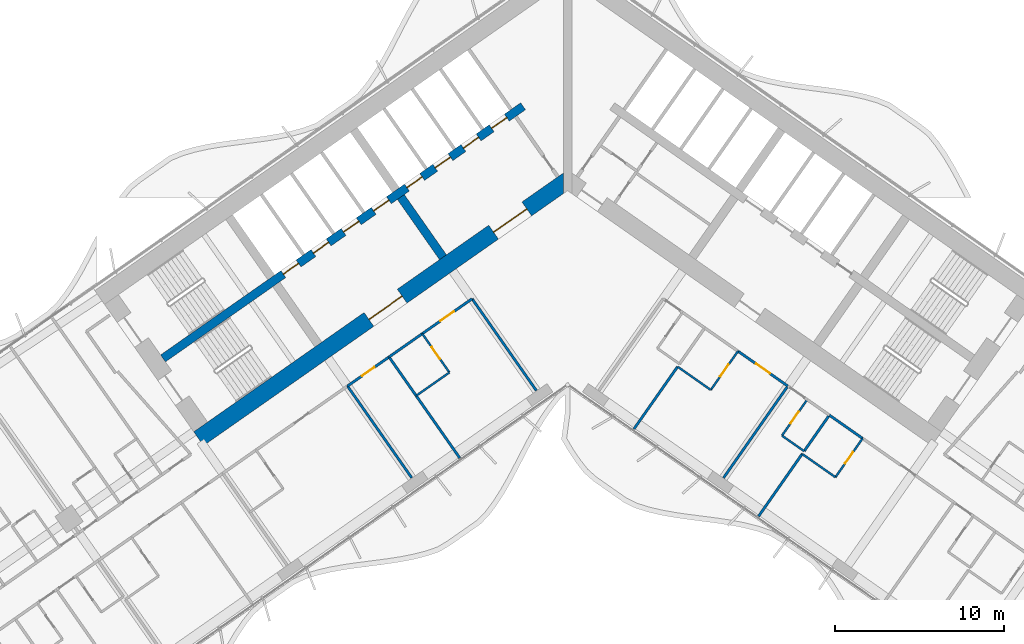
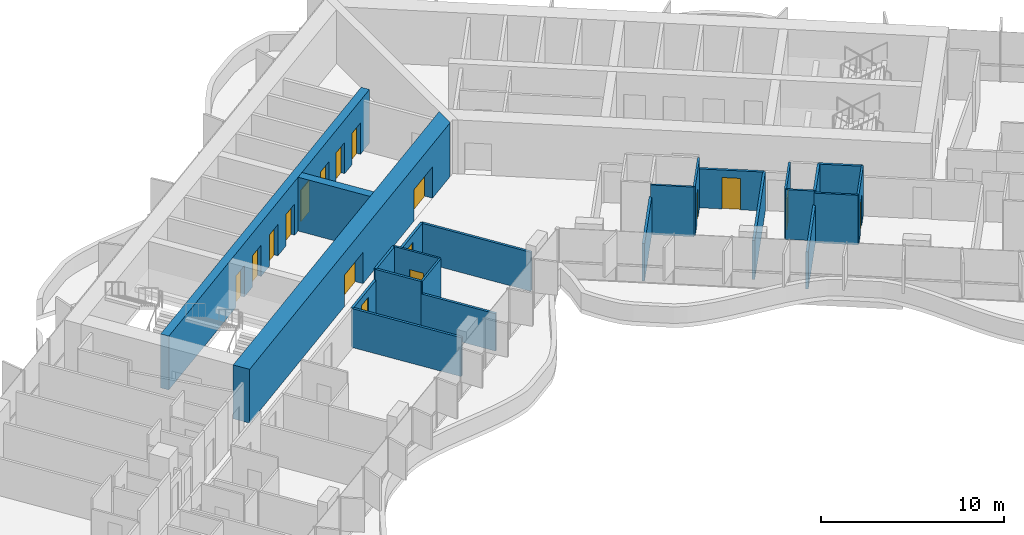
# One storey, part 14 of 24: 24 walls, 17 doors, 17 openings.
"""IFC4 building model written with IfcOpenShell, lengths in metres."""

from ifc_helpers import new_model, si_unit, direction, frame, frame_2d, origin, place, context, subcontext, project, spatial, polyline, rectangle, outline, extrude, material, layer, layer_set, type_object, element, fill, save


model = new_model("IFC4")

# Units and contexts
model_context = context("Model", 3, precision=1e-05, world=origin(), true_north=direction((0.0, 1.0)))
body_context = subcontext(model_context, "Body", "Model", "MODEL_VIEW")
ifc_project = project(units=[si_unit("LENGTHUNIT", "METRE"), si_unit("AREAUNIT", "SQUARE_METRE"), si_unit("VOLUMEUNIT", "CUBIC_METRE"), si_unit("PLANEANGLEUNIT", "RADIAN"), si_unit("MASSUNIT", "GRAM", prefix="KILO")], contexts=[model_context])

# Site, building, storey
site_placement = place(None, origin())
site = spatial("IfcSite", under=ifc_project, at=site_placement, CompositionType="ELEMENT")
building_placement = place(site_placement, origin())
building = spatial("IfcBuilding", under=site, at=building_placement, Name="Tel Ilan Convention Tower", CompositionType="ELEMENT")
storey_placement = place(building_placement, frame((0.0, 0.0, 90.5)))
storey = spatial("IfcBuildingStorey", under=building, at=storey_placement, Name="L18", CompositionType="ELEMENT", Elevation=90.5)

# Wall, openings, doors
ifc_material_1 = material(Name="Concrete C60/75", Category="concrete")
ifc_layer_1 = layer(ifc_material_1, 1.0)
ifc_layer_set_1 = layer_set([ifc_layer_1], Name="Core Shear Wall 1000 mm C60/75")
wall_type_1 = type_object("IfcWallType", Name="Core Shear Wall 1000 mm C60/75", PredefinedType="SHEAR", material=ifc_layer_set_1)
wall_1_placement = place(storey_placement, frame((0.036865234375, -0.584716796875, 0.0), z_axis=(0.0, 0.0, 1.0), x_axis=(-0.819157152511, -0.573569140985, 0.0)))
wall_1 = element("IfcWall", 1, at=wall_1_placement, inside=storey, type_object=wall_type_1, Name="L18 core wall W-front", PredefinedType="SHEAR", context=body_context, shape_type="SweptSolid", body=[
    extrude(outline(polyline([(26.69482421875, 0.500244140625), (0.7001953125, 0.499755859375), (0.0, -0.5), (26.69482421875, -0.499755859375), (26.69482421875, 0.500244140625)])), origin(), (0.0, 0.0, 1.0), 3.60009765625),
])
opening_1_placement = place(wall_1_placement, frame((2.994873046875, 0.0, 0.0)))
opening_1 = element("IfcOpeningElement", 2, at=opening_1_placement, cuts=wall_1, Name="Opening CD1605", PredefinedType="OPENING", context=body_context, shape_type="SweptSolid", body=[
    extrude(rectangle(XDim=2.39990234375, YDim=2.10009765625, at=frame_2d((1.199951171875, 1.050048828125))), frame((0.0, 0.510009765625, 0.0), z_axis=(0.0, -1.0, 0.0), x_axis=(1.0, 0.0, 0.0)), (0.0, 0.0, 1.0), 1.02001953125),
])
opening_2_placement = place(wall_1_placement, frame((11.994873046875, 0.0, 0.0)))
opening_2 = element("IfcOpeningElement", 3, at=opening_2_placement, cuts=wall_1, Name="Opening CD1606", PredefinedType="OPENING", context=body_context, shape_type="SweptSolid", body=[
    extrude(rectangle(XDim=2.39990234375, YDim=2.10009765625, at=frame_2d((1.199951171875, 1.050048828125))), frame((0.0, 0.510009765625, 0.0), z_axis=(0.0, -1.0, 0.0), x_axis=(1.0, 0.0, 0.0)), (0.0, 0.0, 1.0), 1.02001953125),
])
ifc_material_2 = material(Name="Glazed Aluminium Door Leaf", Category="aluminium")
door_type_1 = type_object("IfcDoorType", Name="Lobby Opening Door 2400 x 2100 FD60S", OperationType="NOTDEFINED", PredefinedType="DOOR", material=ifc_material_2)
door_1_placement = place(opening_1_placement, origin())
door_1 = element("IfcDoor", 4, at=door_1_placement, inside=storey, type_object=door_type_1, Name="Lift Lobby LR1-LR4 opening", OperationType="DOUBLE_DOOR_SINGLE_SWING", OverallHeight=2.10009765625, OverallWidth=2.39990234375, PredefinedType="DOOR", context=body_context, shape_type="SweptSolid", body=[
    extrude(rectangle(XDim=2.39990234375, YDim=2.10009765625, at=frame_2d((1.199951171875, 1.050048828125))), frame((0.0, 0.02490234375, 0.0), z_axis=(0.0, -1.0, 0.0), x_axis=(1.0, 0.0, 0.0)), (0.0, 0.0, 1.0), 0.050048828125),
])
fill(opening_1, door_1)
door_2_placement = place(opening_2_placement, origin())
door_2 = element("IfcDoor", 5, at=door_2_placement, inside=storey, type_object=door_type_1, Name="Lift Lobby LR5-LR8 opening", OperationType="DOUBLE_DOOR_SINGLE_SWING", OverallHeight=2.10009765625, OverallWidth=2.39990234375, PredefinedType="DOOR", context=body_context, shape_type="SweptSolid", body=[
    extrude(rectangle(XDim=2.39990234375, YDim=2.10009765625, at=frame_2d((1.199951171875, 1.050048828125))), frame((0.0, 0.02490234375, 0.0), z_axis=(0.0, -1.0, 0.0), x_axis=(1.0, 0.0, 0.0)), (0.0, 0.0, 1.0), 0.050048828125),
])
fill(opening_2, door_2)

# Wall
ifc_material_3 = material(Name="Concrete C60/75", Category="concrete")
ifc_layer_2 = layer(ifc_material_3, 0.5)
ifc_layer_set_2 = layer_set([ifc_layer_2], Name="Core Shear Wall 500 mm C60/75")
wall_type_2 = type_object("IfcWallType", Name="Core Shear Wall 500 mm C60/75", PredefinedType="SHEAR", material=ifc_layer_set_2)
wall_2_placement = place(storey_placement, frame((-7.372314453125, -5.162109375, 0.0), z_axis=(0.0, 0.0, 1.0), x_axis=(-0.573594173421, 0.819139624372, 0.0)))
element("IfcWall", 6, at=wall_2_placement, inside=storey, type_object=wall_type_2, Name="L18 core wall W-cross1-1", PredefinedType="SHEAR", context=body_context, shape_type="SweptSolid", body=[
    extrude(outline(polyline([(4.349853515625, 0.25), (0.0, 0.250244140625), (0.0, -0.25), (4.349853515625, -0.25), (4.349853515625, 0.25)])), origin(), (0.0, 0.0, 1.0), 3.60009765625),
])

# Wall, openings, doors
wall_3_placement = place(storey_placement, frame((-2.638427734375, 3.76806640625, 0.0), z_axis=(0.0, 0.0, 1.0), x_axis=(-0.819148977158, -0.573580816643, 0.0)))
wall_3 = element("IfcWall", 7, at=wall_3_placement, inside=storey, type_object=wall_type_2, Name="L18 core wall W-spine", PredefinedType="SHEAR", context=body_context, shape_type="SweptSolid", body=[
    extrude(outline(polyline([(26.0, 0.249755859375), (0.0, 0.25), (0.0, -0.25), (26.0, -0.250244140625), (26.0, 0.249755859375)])), origin(), (0.0, 0.0, 1.0), 3.60009765625),
])
opening_3_placement = place(wall_3_placement, frame((1.168701171875, 0.0, 0.0)))
opening_3 = element("IfcOpeningElement", 8, at=opening_3_placement, cuts=wall_3, Name="Opening LD1604", PredefinedType="OPENING", context=body_context, shape_type="SweptSolid", body=[
    extrude(rectangle(XDim=1.10009765625, YDim=2.10009765625, at=frame_2d((0.550048828125, 1.050048828125))), frame((0.0, 0.260009765625, 0.0), z_axis=(0.0, -1.0, 0.0), x_axis=(1.0, 0.0, 0.0)), (0.0, 0.0, 1.0), 0.52001953125),
])
opening_4_placement = place(wall_3_placement, frame((3.206298828125, 0.0, 0.0)))
opening_4 = element("IfcOpeningElement", 9, at=opening_4_placement, cuts=wall_3, Name="Opening LD1605", PredefinedType="OPENING", context=body_context, shape_type="SweptSolid", body=[
    extrude(rectangle(XDim=1.10009765625, YDim=2.10009765625, at=frame_2d((0.550048828125, 1.050048828125))), frame((0.0, 0.260009765625, 0.0), z_axis=(0.0, -1.0, 0.0), x_axis=(1.0, 0.0, 0.0)), (0.0, 0.0, 1.0), 0.52001953125),
])
opening_5_placement = place(wall_3_placement, frame((5.24365234375, 0.0, 0.0)))
opening_5 = element("IfcOpeningElement", 10, at=opening_5_placement, cuts=wall_3, Name="Opening LD1606", PredefinedType="OPENING", context=body_context, shape_type="SweptSolid", body=[
    extrude(rectangle(XDim=1.10009765625, YDim=2.10009765625, at=frame_2d((0.550048828125, 1.050048828125))), frame((0.0, 0.260009765625, 0.0), z_axis=(0.0, -1.0, 0.0), x_axis=(1.0, 0.0, 0.0)), (0.0, 0.0, 1.0), 0.52001953125),
])
opening_6_placement = place(wall_3_placement, frame((7.28125, 0.0, 0.0)))
opening_6 = element("IfcOpeningElement", 11, at=opening_6_placement, cuts=wall_3, Name="Opening LD1607", PredefinedType="OPENING", context=body_context, shape_type="SweptSolid", body=[
    extrude(rectangle(XDim=1.10009765625, YDim=2.10009765625, at=frame_2d((0.550048828125, 1.050048828125))), frame((0.0, 0.260009765625, 0.0), z_axis=(0.0, -1.0, 0.0), x_axis=(1.0, 0.0, 0.0)), (0.0, 0.0, 1.0), 0.52001953125),
])
opening_7_placement = place(wall_3_placement, frame((9.6875, 0.0, 0.0)))
opening_7 = element("IfcOpeningElement", 12, at=opening_7_placement, cuts=wall_3, Name="Opening LD1608", PredefinedType="OPENING", context=body_context, shape_type="SweptSolid", body=[
    extrude(rectangle(XDim=1.10009765625, YDim=2.10009765625, at=frame_2d((0.550048828125, 1.050048828125))), frame((0.0, 0.260009765625, 0.0), z_axis=(0.0, -1.0, 0.0), x_axis=(1.0, 0.0, 0.0)), (0.0, 0.0, 1.0), 0.52001953125),
])
opening_8_placement = place(wall_3_placement, frame((11.862548828125, 0.0, 0.0)))
opening_8 = element("IfcOpeningElement", 13, at=opening_8_placement, cuts=wall_3, Name="Opening LD1609", PredefinedType="OPENING", context=body_context, shape_type="SweptSolid", body=[
    extrude(rectangle(XDim=1.10009765625, YDim=2.10009765625, at=frame_2d((0.550048828125, 1.050048828125))), frame((0.0, 0.260009765625, 0.0), z_axis=(0.0, -1.0, 0.0), x_axis=(1.0, 0.0, 0.0)), (0.0, 0.0, 1.0), 0.52001953125),
])
opening_9_placement = place(wall_3_placement, frame((14.03759765625, 0.0, 0.0)))
opening_9 = element("IfcOpeningElement", 14, at=opening_9_placement, cuts=wall_3, Name="Opening LD1610", PredefinedType="OPENING", context=body_context, shape_type="SweptSolid", body=[
    extrude(rectangle(XDim=1.10009765625, YDim=2.10009765625, at=frame_2d((0.550048828125, 1.050048828125))), frame((0.0, 0.260009765625, 0.0), z_axis=(0.0, -1.0, 0.0), x_axis=(1.0, 0.0, 0.0)), (0.0, 0.0, 1.0), 0.52001953125),
])
opening_10_placement = place(wall_3_placement, frame((16.21240234375, 0.0, 0.0)))
opening_10 = element("IfcOpeningElement", 15, at=opening_10_placement, cuts=wall_3, Name="Opening LD1611", PredefinedType="OPENING", context=body_context, shape_type="SweptSolid", body=[
    extrude(rectangle(XDim=1.10009765625, YDim=2.10009765625, at=frame_2d((0.550048828125, 1.050048828125))), frame((0.0, 0.260009765625, 0.0), z_axis=(0.0, -1.0, 0.0), x_axis=(1.0, 0.0, 0.0)), (0.0, 0.0, 1.0), 0.52001953125),
])
ifc_material_4 = material(Name="Stainless Steel Sliding Door Leaf", Category="steel")
door_type_2 = type_object("IfcDoorType", Name="Lift Landing Door 1100 x 2100 FD120", OperationType="NOTDEFINED", PredefinedType="DOOR", material=ifc_material_4)
door_3_placement = place(opening_3_placement, origin())
door_3 = element("IfcDoor", 16, at=door_3_placement, inside=storey, type_object=door_type_2, Name="Lift LR1 landing door", OperationType="SLIDING_TO_LEFT", OverallHeight=2.10009765625, OverallWidth=1.10009765625, PredefinedType="DOOR", context=body_context, shape_type="SweptSolid", body=[
    extrude(rectangle(XDim=1.10009765625, YDim=2.10009765625, at=frame_2d((0.550048828125, 1.050048828125))), frame((0.0, 0.02490234375, 0.0), z_axis=(0.0, -1.0, 0.0), x_axis=(1.0, 0.0, 0.0)), (0.0, 0.0, 1.0), 0.050048828125),
])
fill(opening_3, door_3)
door_4_placement = place(opening_4_placement, origin())
door_4 = element("IfcDoor", 17, at=door_4_placement, inside=storey, type_object=door_type_2, Name="Lift LR2 landing door", OperationType="SLIDING_TO_RIGHT", OverallHeight=2.10009765625, OverallWidth=1.10009765625, PredefinedType="DOOR", context=body_context, shape_type="SweptSolid", body=[
    extrude(rectangle(XDim=1.10009765625, YDim=2.10009765625, at=frame_2d((0.550048828125, 1.050048828125))), frame((0.0, 0.02490234375, 0.0), z_axis=(0.0, -1.0, 0.0), x_axis=(1.0, 0.0, 0.0)), (0.0, 0.0, 1.0), 0.050048828125),
])
fill(opening_4, door_4)
door_5_placement = place(opening_5_placement, origin())
door_5 = element("IfcDoor", 18, at=door_5_placement, inside=storey, type_object=door_type_2, Name="Lift LR3 landing door", OperationType="SLIDING_TO_LEFT", OverallHeight=2.10009765625, OverallWidth=1.10009765625, PredefinedType="DOOR", context=body_context, shape_type="SweptSolid", body=[
    extrude(rectangle(XDim=1.10009765625, YDim=2.10009765625, at=frame_2d((0.550048828125, 1.050048828125))), frame((0.0, 0.02490234375, 0.0), z_axis=(0.0, -1.0, 0.0), x_axis=(1.0, 0.0, 0.0)), (0.0, 0.0, 1.0), 0.050048828125),
])
fill(opening_5, door_5)
door_6_placement = place(opening_6_placement, origin())
door_6 = element("IfcDoor", 19, at=door_6_placement, inside=storey, type_object=door_type_2, Name="Lift LR4 landing door", OperationType="SLIDING_TO_RIGHT", OverallHeight=2.10009765625, OverallWidth=1.10009765625, PredefinedType="DOOR", context=body_context, shape_type="SweptSolid", body=[
    extrude(rectangle(XDim=1.10009765625, YDim=2.10009765625, at=frame_2d((0.550048828125, 1.050048828125))), frame((0.0, 0.02490234375, 0.0), z_axis=(0.0, -1.0, 0.0), x_axis=(1.0, 0.0, 0.0)), (0.0, 0.0, 1.0), 0.050048828125),
])
fill(opening_6, door_6)
door_7_placement = place(opening_7_placement, origin())
door_7 = element("IfcDoor", 20, at=door_7_placement, inside=storey, type_object=door_type_2, Name="Lift LR5 landing door", OperationType="SLIDING_TO_LEFT", OverallHeight=2.10009765625, OverallWidth=1.10009765625, PredefinedType="DOOR", context=body_context, shape_type="SweptSolid", body=[
    extrude(rectangle(XDim=1.10009765625, YDim=2.10009765625, at=frame_2d((0.550048828125, 1.050048828125))), frame((0.0, 0.02490234375, 0.0), z_axis=(0.0, -1.0, 0.0), x_axis=(1.0, 0.0, 0.0)), (0.0, 0.0, 1.0), 0.050048828125),
])
fill(opening_7, door_7)
door_8_placement = place(opening_8_placement, origin())
door_8 = element("IfcDoor", 21, at=door_8_placement, inside=storey, type_object=door_type_2, Name="Lift LR6 landing door", OperationType="SLIDING_TO_RIGHT", OverallHeight=2.10009765625, OverallWidth=1.10009765625, PredefinedType="DOOR", context=body_context, shape_type="SweptSolid", body=[
    extrude(rectangle(XDim=1.10009765625, YDim=2.10009765625, at=frame_2d((0.550048828125, 1.050048828125))), frame((0.0, 0.02490234375, 0.0), z_axis=(0.0, -1.0, 0.0), x_axis=(1.0, 0.0, 0.0)), (0.0, 0.0, 1.0), 0.050048828125),
])
fill(opening_8, door_8)
door_9_placement = place(opening_9_placement, origin())
door_9 = element("IfcDoor", 22, at=door_9_placement, inside=storey, type_object=door_type_2, Name="Lift LR7 landing door", OperationType="SLIDING_TO_LEFT", OverallHeight=2.10009765625, OverallWidth=1.10009765625, PredefinedType="DOOR", context=body_context, shape_type="SweptSolid", body=[
    extrude(rectangle(XDim=1.10009765625, YDim=2.10009765625, at=frame_2d((0.550048828125, 1.050048828125))), frame((0.0, 0.02490234375, 0.0), z_axis=(0.0, -1.0, 0.0), x_axis=(1.0, 0.0, 0.0)), (0.0, 0.0, 1.0), 0.050048828125),
])
fill(opening_9, door_9)
door_10_placement = place(opening_10_placement, origin())
door_10 = element("IfcDoor", 23, at=door_10_placement, inside=storey, type_object=door_type_2, Name="Lift LR8 landing door", OperationType="SLIDING_TO_RIGHT", OverallHeight=2.10009765625, OverallWidth=1.10009765625, PredefinedType="DOOR", context=body_context, shape_type="SweptSolid", body=[
    extrude(rectangle(XDim=1.10009765625, YDim=2.10009765625, at=frame_2d((0.550048828125, 1.050048828125))), frame((0.0, 0.02490234375, 0.0), z_axis=(0.0, -1.0, 0.0), x_axis=(1.0, 0.0, 0.0)), (0.0, 0.0, 1.0), 0.050048828125),
])
fill(opening_10, door_10)

# Wall, opening, door
ifc_material_5 = material(Name="Plasterboard on Steel Studs", Category="steel")
ifc_layer_3 = layer(ifc_material_5, 0.14990234375)
ifc_layer_set_3 = layer_set([ifc_layer_3], Name="Fire-rated Partition 150 EI 60")
wall_type_3 = type_object("IfcWallType", Name="Fire-rated Partition 150 EI 60", PredefinedType="PARTITIONING", material=ifc_layer_set_3)
wall_4_placement = place(storey_placement, frame((13.025634765625, -12.782958984375, 0.0), z_axis=(0.0, 0.0, 1.0), x_axis=(-0.819145961204, 0.573585123798, 0.0)))
wall_4 = element("IfcWall", 24, at=wall_4_placement, inside=storey, type_object=wall_type_3, Name="Partition 008", PredefinedType="PARTITIONING", context=body_context, shape_type="SweptSolid", body=[
    extrude(rectangle(XDim=3.60302734375, YDim=0.14990234375, at=frame_2d((1.801513671875, 0.0))), origin(), (0.0, 0.0, 1.0), 2.60009765625),
])
opening_11_placement = place(wall_4_placement, frame((1.302001953125, 0.0, 0.0)))
opening_11 = element("IfcOpeningElement", 25, at=opening_11_placement, cuts=wall_4, Name="Opening L18-028", PredefinedType="OPENING", context=body_context, shape_type="SweptSolid", body=[
    extrude(rectangle(XDim=1.0, YDim=2.10009765625, at=frame_2d((0.5, 1.050048828125))), frame((0.0, 0.0849609375, 0.0), z_axis=(0.0, -1.0, 0.0), x_axis=(1.0, 0.0, 0.0)), (0.0, 0.0, 1.0), 0.169921875),
])
ifc_material_6 = material(Name="Timber Door Leaf in Steel Frame", Category="steel")
door_type_3 = type_object("IfcDoorType", Name="Hotel Room Entrance Fire Door 1000x2100", OperationType="NOTDEFINED", PredefinedType="DOOR", material=ifc_material_6)
door_11_placement = place(opening_11_placement, origin())
door_11 = element("IfcDoor", 26, at=door_11_placement, inside=storey, type_object=door_type_3, Name="Door L18-028", OperationType="SINGLE_SWING_RIGHT", OverallHeight=2.10009765625, OverallWidth=1.0, PredefinedType="DOOR", context=body_context, shape_type="SweptSolid", body=[
    extrude(rectangle(XDim=1.0, YDim=2.10009765625, at=frame_2d((0.5, 1.050048828125))), frame((0.0, 0.02490234375, 0.0), z_axis=(0.0, -1.0, 0.0), x_axis=(1.0, 0.0, 0.0)), (0.0, 0.0, 1.0), 0.050048828125),
])
fill(opening_11, door_11)

# Wall
wall_5_placement = place(storey_placement, frame((17.44921875, -15.88037109375, 0.0), z_axis=(0.0, 0.0, 1.0), x_axis=(-0.819179439794, 0.573537309527, 0.0)))
element("IfcWall", 27, at=wall_5_placement, inside=storey, type_object=wall_type_3, Name="Partition 013", PredefinedType="PARTITIONING", context=body_context, shape_type="SweptSolid", body=[
    extrude(rectangle(XDim=2.404296875, YDim=0.14990234375, at=frame_2d((1.2021484375, 0.0))), origin(), (0.0, 0.0, 1.0), 3.320068359375),
])

# Wall, opening, door
wall_6_placement = place(storey_placement, frame((-5.651611328125, -7.61962890625, 0.0), z_axis=(0.0, 0.0, 1.0), x_axis=(-0.819149096931, -0.573580645591, 0.0)))
wall_6 = element("IfcWall", 28, at=wall_6_placement, inside=storey, type_object=wall_type_3, Name="Partition 029", PredefinedType="PARTITIONING", context=body_context, shape_type="SweptSolid", body=[
    extrude(rectangle(XDim=3.600830078125, YDim=0.14990234375, at=frame_2d((1.80029296875, 0.0))), origin(), (0.0, 0.0, 1.0), 2.60009765625),
])
opening_12_placement = place(wall_6_placement, frame((1.300048828125, 0.0, 0.0)))
opening_12 = element("IfcOpeningElement", 29, at=opening_12_placement, cuts=wall_6, Name="Opening L18-002", PredefinedType="OPENING", context=body_context, shape_type="SweptSolid", body=[
    extrude(rectangle(XDim=1.0, YDim=2.10009765625, at=frame_2d((0.5, 1.050048828125))), frame((0.0, 0.0849609375, 0.0), z_axis=(0.0, -1.0, 0.0), x_axis=(1.0, 0.0, 0.0)), (0.0, 0.0, 1.0), 0.169921875),
])
door_12_placement = place(opening_12_placement, origin())
door_12 = element("IfcDoor", 30, at=door_12_placement, inside=storey, type_object=door_type_3, Name="Door L18-002", OperationType="SINGLE_SWING_RIGHT", OverallHeight=2.10009765625, OverallWidth=1.0, PredefinedType="DOOR", context=body_context, shape_type="SweptSolid", body=[
    extrude(rectangle(XDim=1.0, YDim=2.10009765625, at=frame_2d((0.5, 1.050048828125))), frame((0.0, 0.02490234375, 0.0), z_axis=(0.0, -1.0, 0.0), x_axis=(1.0, 0.0, 0.0)), (0.0, 0.0, 1.0), 0.050048828125),
])
fill(opening_12, door_12)

# Wall
wall_7_placement = place(storey_placement, frame((-8.598876953125, -9.683349609375, 0.0), z_axis=(0.0, 0.0, 1.0), x_axis=(-0.819146032251, -0.573585022335, 0.0)))
element("IfcWall", 31, at=wall_7_placement, inside=storey, type_object=wall_type_3, Name="Partition 030", PredefinedType="PARTITIONING", context=body_context, shape_type="SweptSolid", body=[
    extrude(rectangle(XDim=2.404052734375, YDim=0.14990234375, at=frame_2d((1.2021484375, 0.0))), origin(), (0.0, 0.0, 1.0), 3.320068359375),
])

# Wall, opening, door
wall_8_placement = place(storey_placement, frame((-10.56494140625, -11.06005859375, 0.0), z_axis=(0.0, 0.0, 1.0), x_axis=(-0.81916700466, -0.573555070134, 0.0)))
wall_8 = element("IfcWall", 32, at=wall_8_placement, inside=storey, type_object=wall_type_3, Name="Partition 031", PredefinedType="PARTITIONING", context=body_context, shape_type="SweptSolid", body=[
    extrude(rectangle(XDim=3.00390625, YDim=0.14990234375, at=frame_2d((1.501953125, 0.0))), origin(), (0.0, 0.0, 1.0), 2.60009765625),
])
opening_13_placement = place(wall_8_placement, frame((1.052001953125, 0.0, 0.0)))
opening_13 = element("IfcOpeningElement", 33, at=opening_13_placement, cuts=wall_8, Name="Opening L18-003", PredefinedType="OPENING", context=body_context, shape_type="SweptSolid", body=[
    extrude(rectangle(XDim=0.89990234375, YDim=2.10009765625, at=frame_2d((0.449951171875, 1.050048828125))), frame((0.0, 0.0849609375, 0.0), z_axis=(0.0, -1.0, 0.0), x_axis=(1.0, 0.0, 0.0)), (0.0, 0.0, 1.0), 0.169921875),
])
ifc_material_7 = material(Name="Timber Door Leaf in Steel Frame", Category="steel")
door_type_4 = type_object("IfcDoorType", Name="Room Fire Door 900x2100", OperationType="NOTDEFINED", PredefinedType="DOOR", material=ifc_material_7)
door_13_placement = place(opening_13_placement, origin())
door_13 = element("IfcDoor", 34, at=door_13_placement, inside=storey, type_object=door_type_4, Name="Door L18-003", OperationType="SINGLE_SWING_RIGHT", OverallHeight=2.10009765625, OverallWidth=0.89990234375, PredefinedType="DOOR", context=body_context, shape_type="SweptSolid", body=[
    extrude(rectangle(XDim=0.89990234375, YDim=2.10009765625, at=frame_2d((0.449951171875, 1.050048828125))), frame((0.0, 0.02490234375, 0.0), z_axis=(0.0, -1.0, 0.0), x_axis=(1.0, 0.0, 0.0)), (0.0, 0.0, 1.0), 0.050048828125),
])
fill(opening_13, door_13)

# Walls
wall_9_placement = place(storey_placement, frame((6.503662109375, -11.63330078125, 0.0), z_axis=(0.0, 0.0, 1.0), x_axis=(-0.573556991349, -0.819165659482, 0.0)))
element("IfcWall", 35, at=wall_9_placement, inside=storey, type_object=wall_type_3, Name="Partition 057", PredefinedType="PARTITIONING", context=body_context, shape_type="SweptSolid", body=[
    extrude(rectangle(XDim=4.5009765625, YDim=0.14990234375, at=frame_2d((2.25048828125, 0.0))), origin(), (0.0, 0.0, 1.0), 2.5),
])
wall_10_placement = place(storey_placement, frame((13.02392578125, -12.78173828125, 0.0), z_axis=(0.0, 0.0, 1.0), x_axis=(-0.573556251799, -0.819166177294, 0.0)))
element("IfcWall", 36, at=wall_10_placement, inside=storey, type_object=wall_type_3, Name="Partition 062", PredefinedType="PARTITIONING", context=body_context, shape_type="SweptSolid", body=[
    extrude(rectangle(XDim=6.630126953125, YDim=0.14990234375, at=frame_2d((3.31494140625, 0.0))), origin(), (0.0, 0.0, 1.0), 2.60009765625),
])
wall_11_placement = place(storey_placement, frame((13.8759765625, -16.79541015625, 0.0), z_axis=(0.0, 0.0, 1.0), x_axis=(-0.573556991349, -0.819165659482, 0.0)))
element("IfcWall", 37, at=wall_11_placement, inside=storey, type_object=wall_type_3, Name="Partition 065", PredefinedType="PARTITIONING", context=body_context, shape_type="SweptSolid", body=[
    extrude(rectangle(XDim=4.5009765625, YDim=0.14990234375, at=frame_2d((2.25048828125, 0.0))), origin(), (0.0, 0.0, 1.0), 2.5),
])
wall_12_placement = place(storey_placement, frame((15.4814453125, -14.502685546875, 0.0), z_axis=(0.0, 0.0, 1.0), x_axis=(-0.573582085028, -0.819148089014, 0.0)))
element("IfcWall", 38, at=wall_12_placement, inside=storey, type_object=wall_type_3, Name="Partition 066", PredefinedType="PARTITIONING", context=body_context, shape_type="SweptSolid", body=[
    extrude(rectangle(XDim=2.599853515625, YDim=0.14990234375, at=frame_2d((1.2998046875, 0.0))), origin(), (0.0, 0.0, 1.0), 3.320068359375),
])
wall_13_placement = place(storey_placement, frame((-1.848876953125, -13.050537109375, 0.0), z_axis=(0.0, 0.0, 1.0), x_axis=(-0.573575988258, 0.819152358047, 0.0)))
element("IfcWall", 39, at=wall_13_placement, inside=storey, type_object=wall_type_3, Name="Partition 080", PredefinedType="PARTITIONING", context=body_context, shape_type="SweptSolid", body=[
    extrude(rectangle(XDim=6.632080078125, YDim=0.14990234375, at=frame_2d((3.31591796875, 0.0))), origin(), (0.0, 0.0, 1.0), 2.60009765625),
])
wall_14_placement = place(storey_placement, frame((-6.37939453125, -17.041015625, 0.0), z_axis=(0.0, 0.0, 1.0), x_axis=(-0.573564311442, 0.819160534108, 0.0)))
element("IfcWall", 40, at=wall_14_placement, inside=storey, type_object=wall_type_3, Name="Partition 102", PredefinedType="PARTITIONING", context=body_context, shape_type="SweptSolid", body=[
    extrude(rectangle(XDim=4.499267578125, YDim=0.14990234375, at=frame_2d((2.24951171875, 0.0))), origin(), (0.0, 0.0, 1.0), 2.5),
])
wall_15_placement = place(storey_placement, frame((-8.96044921875, -13.354736328125, 0.0), z_axis=(0.0, 0.0, 1.0), x_axis=(-0.573608623498, 0.819129505664, 0.0)))
element("IfcWall", 41, at=wall_15_placement, inside=storey, type_object=wall_type_3, Name="Partition 103", PredefinedType="PARTITIONING", context=body_context, shape_type="SweptSolid", body=[
    extrude(rectangle(XDim=2.800048828125, YDim=0.14990234375, at=frame_2d((1.39990234375, 0.0))), origin(), (0.0, 0.0, 1.0), 3.320068359375),
])
wall_16_placement = place(storey_placement, frame((-9.22119140625, -18.212890625, 0.0), z_axis=(0.0, 0.0, 1.0), x_axis=(-0.573556251799, 0.819166177294, 0.0)))
element("IfcWall", 42, at=wall_16_placement, inside=storey, type_object=wall_type_3, Name="Partition 104", PredefinedType="PARTITIONING", context=body_context, shape_type="SweptSolid", body=[
    extrude(rectangle(XDim=6.630126953125, YDim=0.14990234375, at=frame_2d((3.31494140625, 0.0))), origin(), (0.0, 0.0, 1.0), 2.60009765625),
])
ifc_material_8 = material(Name="Plasterboard on Steel Studs", Category="steel")
ifc_layer_4 = layer(ifc_material_8, 0.1201171875)
ifc_layer_set_4 = layer_set([ifc_layer_4], Name="Moisture-resistant Partition 120")
wall_type_4 = type_object("IfcWallType", Name="Moisture-resistant Partition 120", PredefinedType="PARTITIONING", material=ifc_layer_set_4)
wall_17_placement = place(storey_placement, frame((6.50244140625, -11.634765625, 0.0), z_axis=(0.0, 0.0, 1.0), x_axis=(0.819141114317, -0.573592045652, 0.0)))
element("IfcWall", 43, at=wall_17_placement, inside=storey, type_object=wall_type_4, Name="Partition 060", PredefinedType="PARTITIONING", context=body_context, shape_type="SweptSolid", body=[
    extrude(rectangle(XDim=2.400146484375, YDim=0.1201171875, at=frame_2d((1.2001953125, 0.0))), origin(), (0.0, 0.0, 1.0), 3.320068359375),
])

# Wall, opening, door
wall_18_placement = place(storey_placement, frame((8.469970703125, -13.01123046875, 0.0), z_axis=(0.0, 0.0, 1.0), x_axis=(0.573550118428, 0.819170471667, 0.0)))
wall_18 = element("IfcWall", 44, at=wall_18_placement, inside=storey, type_object=wall_type_4, Name="Partition 061", PredefinedType="PARTITIONING", context=body_context, shape_type="SweptSolid", body=[
    extrude(rectangle(XDim=2.800048828125, YDim=0.1201171875, at=frame_2d((1.39990234375, 0.0))), origin(), (0.0, 0.0, 1.0), 3.320068359375),
])
opening_14_placement = place(wall_18_placement, frame((0.97509765625, 0.0, 0.0)))
opening_14 = element("IfcOpeningElement", 45, at=opening_14_placement, cuts=wall_18, Name="Opening L18-027", PredefinedType="OPENING", context=body_context, shape_type="SweptSolid", body=[
    extrude(rectangle(XDim=0.85009765625, YDim=2.050048828125, at=frame_2d((0.425048828125, 1.02490234375))), frame((0.0, 0.070068359375, 0.0), z_axis=(0.0, -1.0, 0.0), x_axis=(1.0, 0.0, 0.0)), (0.0, 0.0, 1.0), 0.14013671875),
])
ifc_material_9 = material(Name="Timber Door Leaf in Steel Frame", Category="steel")
door_type_5 = type_object("IfcDoorType", Name="Bathroom Timber Door 850x2050", OperationType="NOTDEFINED", PredefinedType="DOOR", material=ifc_material_9)
door_14_placement = place(opening_14_placement, origin())
door_14 = element("IfcDoor", 46, at=door_14_placement, inside=storey, type_object=door_type_5, Name="Door L18-027", OperationType="SINGLE_SWING_LEFT", OverallHeight=2.050048828125, OverallWidth=0.85009765625, PredefinedType="DOOR", context=body_context, shape_type="SweptSolid", body=[
    extrude(rectangle(XDim=0.85009765625, YDim=2.050048828125, at=frame_2d((0.425048828125, 1.02490234375))), frame((0.0, 0.02490234375, 0.0), z_axis=(0.0, -1.0, 0.0), x_axis=(1.0, 0.0, 0.0)), (0.0, 0.0, 1.0), 0.050048828125),
])
fill(opening_14, door_14)

wall_19_placement = place(storey_placement, frame((14.169921875, -13.584228515625, 0.0), z_axis=(0.0, 0.0, 1.0), x_axis=(-0.573537965655, -0.819178980414, 0.0)))
wall_19 = element("IfcWall", 47, at=wall_19_placement, inside=storey, type_object=wall_type_4, Name="Partition 063", PredefinedType="PARTITIONING", context=body_context, shape_type="SweptSolid", body=[
    extrude(rectangle(XDim=2.60009765625, YDim=0.1201171875, at=frame_2d((1.300048828125, 0.0))), origin(), (0.0, 0.0, 1.0), 3.320068359375),
])
opening_15_placement = place(wall_19_placement, frame((0.875, 0.0, 0.0)))
opening_15 = element("IfcOpeningElement", 48, at=opening_15_placement, cuts=wall_19, Name="Opening L18-029", PredefinedType="OPENING", context=body_context, shape_type="SweptSolid", body=[
    extrude(rectangle(XDim=0.85009765625, YDim=2.050048828125, at=frame_2d((0.425048828125, 1.02490234375))), frame((0.0, 0.070068359375, 0.0), z_axis=(0.0, -1.0, 0.0), x_axis=(1.0, 0.0, 0.0)), (0.0, 0.0, 1.0), 0.14013671875),
])
door_15_placement = place(opening_15_placement, origin())
door_15 = element("IfcDoor", 49, at=door_15_placement, inside=storey, type_object=door_type_5, Name="Door L18-029", OperationType="SINGLE_SWING_RIGHT", OverallHeight=2.050048828125, OverallWidth=0.85009765625, PredefinedType="DOOR", context=body_context, shape_type="SweptSolid", body=[
    extrude(rectangle(XDim=0.85009765625, YDim=2.050048828125, at=frame_2d((0.425048828125, 1.02490234375))), frame((0.0, 0.02490234375, 0.0), z_axis=(0.0, -1.0, 0.0), x_axis=(1.0, 0.0, 0.0)), (0.0, 0.0, 1.0), 0.050048828125),
])
fill(opening_15, door_15)

# Walls
wall_20_placement = place(storey_placement, frame((12.678955078125, -15.715576171875, 0.0), z_axis=(0.0, 0.0, 1.0), x_axis=(0.819131543282, -0.57360571371, 0.0)))
element("IfcWall", 50, at=wall_20_placement, inside=storey, type_object=wall_type_4, Name="Partition 064", PredefinedType="PARTITIONING", context=body_context, shape_type="SweptSolid", body=[
    extrude(rectangle(XDim=1.599853515625, YDim=0.1201171875, at=frame_2d((0.7998046875, 0.0))), origin(), (0.0, 0.0, 1.0), 3.320068359375),
])
wall_21_placement = place(storey_placement, frame((13.875, -16.797119140625, 0.0), z_axis=(0.0, 0.0, 1.0), x_axis=(0.819155442668, -0.573571582932, 0.0)))
element("IfcWall", 51, at=wall_21_placement, inside=storey, type_object=wall_type_4, Name="Partition 067", PredefinedType="PARTITIONING", context=body_context, shape_type="SweptSolid", body=[
    extrude(rectangle(XDim=2.39990234375, YDim=0.1201171875, at=frame_2d((1.199951171875, 0.0))), origin(), (0.0, 0.0, 1.0), 3.320068359375),
])

# Wall, opening, door
wall_22_placement = place(storey_placement, frame((15.84228515625, -18.17333984375, 0.0), z_axis=(0.0, 0.0, 1.0), x_axis=(0.573550118428, 0.819170471667, 0.0)))
wall_22 = element("IfcWall", 52, at=wall_22_placement, inside=storey, type_object=wall_type_4, Name="Partition 068", PredefinedType="PARTITIONING", context=body_context, shape_type="SweptSolid", body=[
    extrude(rectangle(XDim=2.800048828125, YDim=0.1201171875, at=frame_2d((1.39990234375, 0.0))), origin(), (0.0, 0.0, 1.0), 3.320068359375),
])
opening_16_placement = place(wall_22_placement, frame((0.97509765625, 0.0, 0.0)))
opening_16 = element("IfcOpeningElement", 53, at=opening_16_placement, cuts=wall_22, Name="Opening L18-031", PredefinedType="OPENING", context=body_context, shape_type="SweptSolid", body=[
    extrude(rectangle(XDim=0.85009765625, YDim=2.050048828125, at=frame_2d((0.425048828125, 1.02490234375))), frame((0.0, 0.070068359375, 0.0), z_axis=(0.0, -1.0, 0.0), x_axis=(1.0, 0.0, 0.0)), (0.0, 0.0, 1.0), 0.14013671875),
])
door_16_placement = place(opening_16_placement, origin())
door_16 = element("IfcDoor", 54, at=door_16_placement, inside=storey, type_object=door_type_5, Name="Door L18-031", OperationType="SINGLE_SWING_LEFT", OverallHeight=2.050048828125, OverallWidth=0.85009765625, PredefinedType="DOOR", context=body_context, shape_type="SweptSolid", body=[
    extrude(rectangle(XDim=0.85009765625, YDim=2.050048828125, at=frame_2d((0.425048828125, 1.02490234375))), frame((0.0, 0.02490234375, 0.0), z_axis=(0.0, -1.0, 0.0), x_axis=(1.0, 0.0, 0.0)), (0.0, 0.0, 1.0), 0.050048828125),
])
fill(opening_16, door_16)

# Wall
wall_23_placement = place(storey_placement, frame((-8.9599609375, -13.35546875, 0.0), z_axis=(0.0, 0.0, 1.0), x_axis=(0.819188907105, 0.573523787192, 0.0)))
element("IfcWall", 55, at=wall_23_placement, inside=storey, type_object=wall_type_4, Name="Partition 100", PredefinedType="PARTITIONING", context=body_context, shape_type="SweptSolid", body=[
    extrude(rectangle(XDim=2.39990234375, YDim=0.1201171875, at=frame_2d((1.199951171875, 0.0))), origin(), (0.0, 0.0, 1.0), 3.320068359375),
])

# Wall, opening, door
wall_24_placement = place(storey_placement, frame((-6.993896484375, -11.9775390625, 0.0), z_axis=(0.0, 0.0, 1.0), x_axis=(-0.573550118428, 0.819170471667, 0.0)))
wall_24 = element("IfcWall", 56, at=wall_24_placement, inside=storey, type_object=wall_type_4, Name="Partition 101", PredefinedType="PARTITIONING", context=body_context, shape_type="SweptSolid", body=[
    extrude(rectangle(XDim=2.800048828125, YDim=0.1201171875, at=frame_2d((1.39990234375, 0.0))), origin(), (0.0, 0.0, 1.0), 3.320068359375),
])
opening_17_placement = place(wall_24_placement, frame((0.97509765625, 0.0, 0.0)))
opening_17 = element("IfcOpeningElement", 57, at=opening_17_placement, cuts=wall_24, Name="Opening L18-001", PredefinedType="OPENING", context=body_context, shape_type="SweptSolid", body=[
    extrude(rectangle(XDim=0.85009765625, YDim=2.050048828125, at=frame_2d((0.425048828125, 1.02490234375))), frame((0.0, 0.070068359375, 0.0), z_axis=(0.0, -1.0, 0.0), x_axis=(1.0, 0.0, 0.0)), (0.0, 0.0, 1.0), 0.14013671875),
])
door_17_placement = place(opening_17_placement, origin())
door_17 = element("IfcDoor", 58, at=door_17_placement, inside=storey, type_object=door_type_5, Name="Door L18-001", OperationType="SINGLE_SWING_LEFT", OverallHeight=2.050048828125, OverallWidth=0.85009765625, PredefinedType="DOOR", context=body_context, shape_type="SweptSolid", body=[
    extrude(rectangle(XDim=0.85009765625, YDim=2.050048828125, at=frame_2d((0.425048828125, 1.02490234375))), frame((0.0, 0.02490234375, 0.0), z_axis=(0.0, -1.0, 0.0), x_axis=(1.0, 0.0, 0.0)), (0.0, 0.0, 1.0), 0.050048828125),
])
fill(opening_17, door_17)

save(model, "model.ifc")
